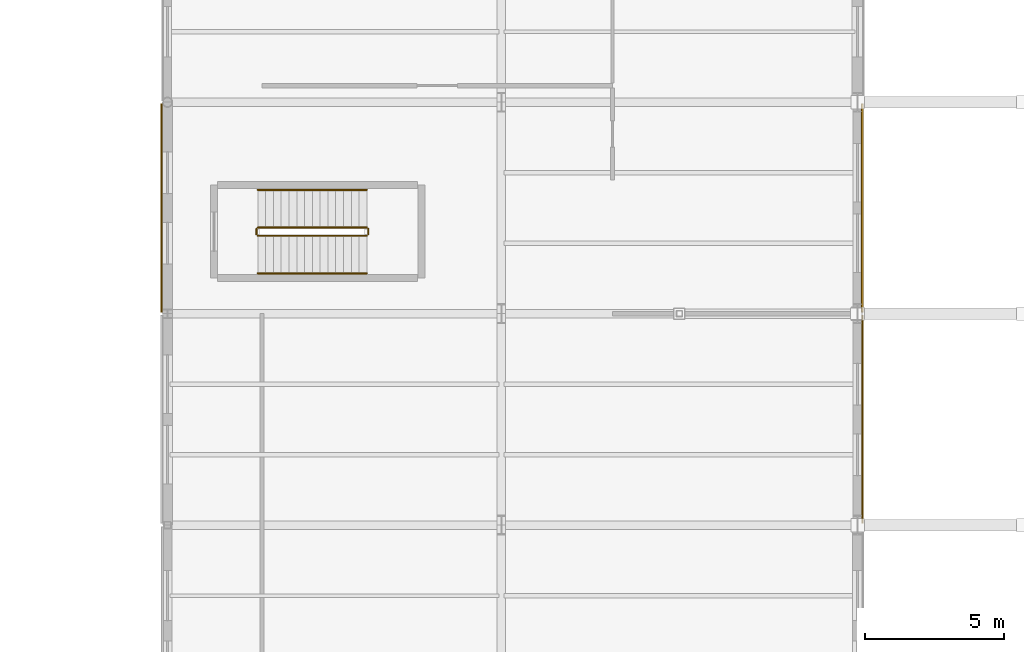
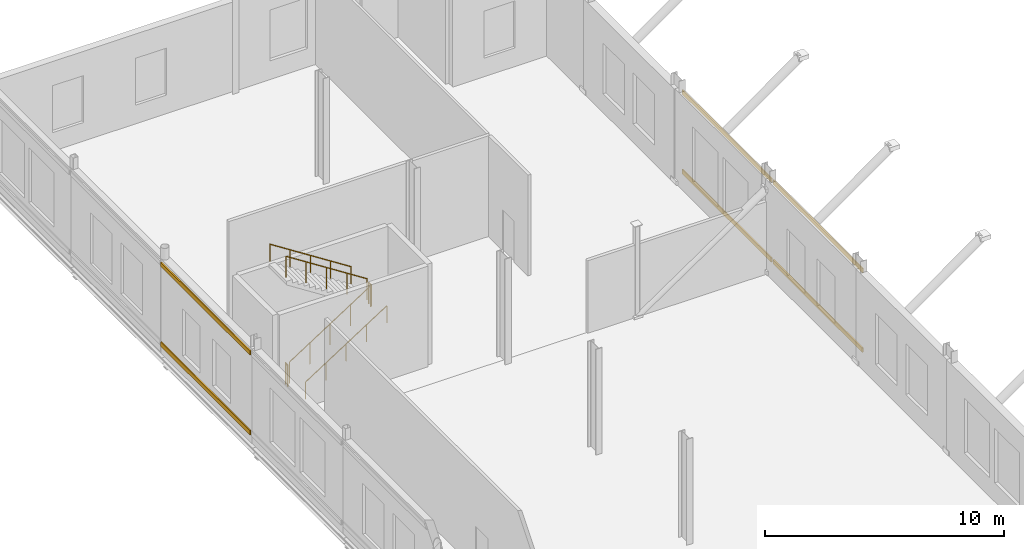
# One storey, part 145 of 147: 6 coverings, 6 railings.
"""IFC4 building model written with IfcOpenShell, lengths in metres."""

import ifcopenshell
import ifcopenshell.guid

model = None  # the IFC model being written
_history = None  # IfcOwnerHistory: only IFC2X3 demands one
_inside = {}  # id of a spatial element -> (the spatial element, [elements in it])
_under = {}  # id of a project, library or spatial element -> (it, [spatial elements below it])
_declared = {}  # id of a project -> (the project, [libraries it declares])
_typed = {}  # id of a type object -> (the type object, [elements of that type])
_made_of = {}  # id of a material, layer set ... -> (it, [elements and type objects made of it])


def new_model(schema):
    """Start an empty IFC model of exactly this schema.

    Asked for "IFC4X3", IfcOpenShell would pick the latest addendum, in which some entities
    have other attributes; the version numbers below select the first issue.
    IFC2X3 requires an IfcOwnerHistory on every rooted entity: one is made here for all.
    """
    global model, _history
    if schema == "IFC4X3":
        model = ifcopenshell.file(schema_version=(4, 3, 0, 0))
    else:
        model = ifcopenshell.file(schema=schema)
    _inside.clear()
    _under.clear()
    _declared.clear()
    _typed.clear()
    _made_of.clear()
    _history = None
    if model.schema == "IFC2X3":
        org = make("IfcOrganization", Name="unknown")
        user = make(
            "IfcPersonAndOrganization",
            ThePerson=make("IfcPerson", FamilyName="unknown"),
            TheOrganization=org,
        )
        app = make(
            "IfcApplication",
            ApplicationDeveloper=org,
            Version="unknown",
            ApplicationFullName="unknown",
            ApplicationIdentifier="unknown",
        )
        _history = make(
            "IfcOwnerHistory",
            OwningUser=user,
            OwningApplication=app,
            ChangeAction="ADDED",
            CreationDate=0,
        )
    return model


def make(cls, **values):
    """One entity of the class cls with the attributes given. An attribute that is None is left unset."""
    return model.create_entity(
        cls, **{name: value for name, value in values.items() if value is not None}
    )


def rooted(cls, **values):
    """An entity with a GlobalId (a new one), such as an element, a storey or a relation."""
    return make(cls, GlobalId=ifcopenshell.guid.new(), OwnerHistory=_history, **values)


def si_unit(unit_type, name, prefix=None):
    """IfcSIUnit, for example si_unit("LENGTHUNIT", "METRE", prefix="MILLI")."""
    return make("IfcSIUnit", UnitType=unit_type, Prefix=prefix, Name=name)


def assignment(units):
    """IfcUnitAssignment: the units of a project."""
    return None if units is None else make("IfcUnitAssignment", Units=units)


def point(xyz):
    """IfcCartesianPoint."""
    return None if xyz is None else make("IfcCartesianPoint", Coordinates=xyz)


def direction(xyz):
    """IfcDirection."""
    return None if xyz is None else make("IfcDirection", DirectionRatios=xyz)


def frame(location, z_axis=None, x_axis=None):
    """IfcAxis2Placement3D, a coordinate frame: its origin and axes. An axis left out is left unset."""
    return make(
        "IfcAxis2Placement3D",
        Location=point(location),
        Axis=direction(z_axis),
        RefDirection=direction(x_axis),
    )


def frame_2d(location, x_axis=None):
    """IfcAxis2Placement2D, a coordinate frame in the plane: its origin and x axis."""
    return make(
        "IfcAxis2Placement2D", Location=point(location), RefDirection=direction(x_axis)
    )


def origin():
    """The frame at (0, 0, 0) with its axes left unset."""
    return frame((0.0, 0.0, 0.0))


def origin_2d():
    """The frame at (0, 0) in the plane with its x axis left unset."""
    return frame_2d((0.0, 0.0))


def place(relative_to, where):
    """IfcLocalPlacement: puts the frame where relative to a parent placement (None: the world)."""
    return make(
        "IfcLocalPlacement", PlacementRelTo=relative_to, RelativePlacement=where
    )


def context(
    kind, dimensions, precision=None, world=None, true_north=None, identifier=None
):
    """IfcGeometricRepresentationContext, for example the 3D "Model" context."""
    return make(
        "IfcGeometricRepresentationContext",
        ContextIdentifier=identifier,
        ContextType=kind,
        CoordinateSpaceDimension=dimensions,
        Precision=precision,
        WorldCoordinateSystem=world,
        TrueNorth=true_north,
    )


def subcontext(parent, identifier, kind, view, scale=None):
    """IfcGeometricRepresentationSubContext, for example "Body" below "Model"."""
    return make(
        "IfcGeometricRepresentationSubContext",
        ContextIdentifier=identifier,
        ContextType=kind,
        ParentContext=parent,
        TargetScale=scale,
        TargetView=view,
    )


def project(units=None, contexts=None):
    """IfcProject with its units and contexts."""
    return rooted(
        "IfcProject",
        Name="project",
        RepresentationContexts=contexts,
        UnitsInContext=assignment(units),
    )


def spatial(cls, under=None, at=None, **own):
    """A site, building, storey or space (cls), placed at a placement, below another one or the project."""
    s = rooted(cls, ObjectPlacement=at, **own)
    if under is not None:
        _under.setdefault(under.id(), (under, []))[1].append(s)
    return s


def profile(cls, at=None, kind="AREA", **sizes):
    """A parametric profile (cls). Its sizes go by their IFC names, for example OverallWidth=200.0."""
    return make(cls, ProfileType=kind, Position=at, **sizes)


def rectangle(**sizes):
    """IfcRectangleProfileDef."""
    return profile("IfcRectangleProfileDef", **sizes)


def circle(**sizes):
    """IfcCircleProfileDef."""
    return profile("IfcCircleProfileDef", **sizes)


def extrude(swept, where, along, depth):
    """IfcExtrudedAreaSolid: the profile swept, set in the frame where, extruded along a direction by depth."""
    return make(
        "IfcExtrudedAreaSolid",
        SweptArea=swept,
        Position=where,
        ExtrudedDirection=direction(along),
        Depth=depth,
    )


def shape(context_of_items, identifier, shape_type, items):
    """IfcShapeRepresentation: the items that make up one representation, for example the "Body"."""
    return make(
        "IfcShapeRepresentation",
        ContextOfItems=context_of_items,
        RepresentationIdentifier=identifier,
        RepresentationType=shape_type,
        Items=items,
    )


def material(Name=None, Category=None):
    """IfcMaterial."""
    return make("IfcMaterial", Name=Name, Category=Category)


def layer(
    of_material, thickness, ventilated=None, Name=None, Category=None, Priority=None
):
    """IfcMaterialLayer: one layer of a wall or slab, of a material (None: an air gap)."""
    return make(
        "IfcMaterialLayer",
        Material=of_material,
        LayerThickness=thickness,
        IsVentilated=ventilated,
        Name=Name,
        Category=Category,
        Priority=Priority,
    )


def layer_set(layers, Name=None):
    """IfcMaterialLayerSet."""
    return make("IfcMaterialLayerSet", MaterialLayers=layers, LayerSetName=Name)


def made_of(thing, what):
    """Note that an element or type object is made of a material, layer set ...; save() writes the relation."""
    if what is not None:
        _made_of.setdefault(what.id(), (what, []))[1].append(thing)
    return thing


def type_object(cls, material=None, **own):
    """A type object (cls), such as IfcWallType, which elements share."""
    return made_of(rooted(cls, **own), material)


def element(
    cls,
    number,
    at=None,
    inside=None,
    cuts=None,
    type_object=None,
    material=None,
    context=None,
    identifier="Body",
    shape_type=None,
    held_by="IfcProductDefinitionShape",
    body=None,
    shapes=None,
    **own,
):
    """One element of the class cls, such as IfcWall. Its Tag is "e" and its number.

    at: its placement. inside: the storey or other place that contains it. cuts: it is an
    opening in that element (IfcRelVoidsElement). A single representation is given by context,
    identifier, shape_type and body (its items); several are given by shapes. held_by: the class
    of the entity that holds the representations. save() writes the other relations.
    """
    e = rooted(cls, Tag="e%d" % number, ObjectPlacement=at, **own)
    if body is not None:
        shapes = [shape(context, identifier, shape_type, body)]
    if shapes is not None:
        e.Representation = make(held_by, Representations=shapes)
    if inside is not None:
        _inside.setdefault(inside.id(), (inside, []))[1].append(e)
    if cuts is not None:
        rooted(
            "IfcRelVoidsElement", RelatingBuildingElement=cuts, RelatedOpeningElement=e
        )
    if type_object is not None:
        _typed.setdefault(type_object.id(), (type_object, []))[1].append(e)
    return made_of(e, material)


def aggregate(whole, parts):
    """IfcRelAggregates: a whole, such as a stair, and the parts it consists of."""
    return rooted("IfcRelAggregates", RelatingObject=whole, RelatedObjects=parts)


def save(model, path):
    """Write the relations noted so far, then the file.

    IfcRelAggregates (storeys below a building ...), IfcRelContainedInSpatialStructure (elements
    in a storey), IfcRelDefinesByType, IfcRelAssociatesMaterial and IfcRelDeclares: one each for
    every whole, place, type object, material and project.
    """
    for whole, parts in _under.values():
        aggregate(whole, parts)
    for where, things in _inside.values():
        rooted(
            "IfcRelContainedInSpatialStructure",
            RelatedElements=things,
            RelatingStructure=where,
        )
    for kind, things in _typed.values():
        rooted("IfcRelDefinesByType", RelatedObjects=things, RelatingType=kind)
    for what, things in _made_of.values():
        rooted("IfcRelAssociatesMaterial", RelatedObjects=things, RelatingMaterial=what)
    for by, libraries in _declared.values():
        rooted("IfcRelDeclares", RelatingContext=by, RelatedDefinitions=libraries)
    model.write(path)


model = new_model("IFC4")

# Units and contexts
model_context = context("Model", 3, precision=1e-05, world=origin(), true_north=direction((0.0, 1.0)))
body_context = subcontext(model_context, "Body", "Model", "MODEL_VIEW")
ifc_project = project(units=[si_unit("LENGTHUNIT", "METRE"), si_unit("AREAUNIT", "SQUARE_METRE"), si_unit("VOLUMEUNIT", "CUBIC_METRE"), si_unit("PLANEANGLEUNIT", "RADIAN"), si_unit("MASSUNIT", "GRAM", prefix="KILO")], contexts=[model_context])

# Site, building, storey
site_placement = place(None, origin())
site = spatial("IfcSite", under=ifc_project, at=site_placement, CompositionType="ELEMENT")
building_placement = place(site_placement, origin())
building = spatial("IfcBuilding", under=site, at=building_placement, Name="Vekula Escarpment Museum", CompositionType="ELEMENT")
storey_placement = place(building_placement, frame((0.0, 0.0, 7.800048828125)))
storey = spatial("IfcBuildingStorey", under=building, at=storey_placement, Name="L02", CompositionType="ELEMENT", Elevation=7.800048828125)

# Coverings
ifc_material_1 = material(Name="Polychrome limestone almasik string-course band", Category="masonry")
ifc_layer = layer(ifc_material_1, 0.06005859375)
ifc_layer_set = layer_set([ifc_layer], Name="Polychrome limestone almasik string-course band")
covering_type = type_object("IfcCoveringType", Name="COV-ALM-BAND", PredefinedType="CLADDING", material=ifc_layer_set)
for number, where, z_axis, x_axis, name in (
    (1, (191.986083984375, 109.39990234375, 0.41015625), (0.0, 0.0, 1.0), (0.0, 1.0, 0.0), "Almasik Stone String Course L02-0318"),
    (2, (191.986083984375, 109.39990234375, 4.48486328125), (0.0, 0.0, 1.0), (0.0, 1.0, 0.0), "Almasik Stone String Course L02-0319"),
    (3, (191.97607421875, 117.0, 0.41015625), (0.0, 0.0, 1.0), (0.0, 1.0, 0.0), "Almasik Stone String Course L02-0320"),
    (4, (191.97607421875, 117.0, 4.48486328125), (0.0, 0.0, 1.0), (0.0, 1.0, 0.0), "Almasik Stone String Course L02-0321"),
    (5, (166.783935546875, 117.0, 0.41015625), (0.0, 0.0, 1.0), (0.0, 1.0, 0.0), "Almasik Stone String Course L02-0338"),
    (6, (166.783935546875, 117.0, 4.48486328125), (0.0, 0.0, 1.0), (0.0, 1.0, 0.0), "Almasik Stone String Course L02-0339"),
):
    element("IfcCovering", number, at=place(storey_placement, frame(where, z_axis=z_axis, x_axis=x_axis)), inside=storey, type_object=covering_type, Name=name, PredefinedType="CLADDING", context=body_context, shape_type="SweptSolid", body=[
        extrude(rectangle(XDim=7.47998046875, YDim=0.06005859375, at=origin_2d()), origin(), (0.0, 0.0, 1.0), 0.219970703125),
    ])

# Railings
ifc_material_2 = material(Name="Painted Steel S355 stair guard", Category="steel")
railing_type_1 = type_object("IfcRailingType", Name="RL-STAIR-GUARD", PredefinedType="GUARDRAIL", material=ifc_material_2)
railing_1_placement = place(storey_placement, frame((170.25, 116.0, 0.179931640625)))
element("IfcRailing", 7, at=railing_1_placement, inside=storey, type_object=railing_type_1, Name="L02 ST-05 stair guard 1", PredefinedType="GUARDRAIL", context=body_context, shape_type="SweptSolid", body=[
    extrude(circle(Radius=0.02392578125, at=origin_2d()), frame((0.0, 0.0, 1.076171875), z_axis=(0.841171666519, 0.0, 0.540768182723), x_axis=(0.0, 1.0, 0.0)), (0.0, 0.0, 1.0), 4.66015625),
    extrude(circle(Radius=0.02099609375, at=origin_2d()), origin(), (0.0, 0.0, 1.0), 1.052001953125),
    extrude(circle(Radius=0.02099609375, at=origin_2d()), frame((0.97998046875, 0.0, 0.6298828125)), (0.0, 0.0, 1.0), 1.052001953125),
    extrude(circle(Radius=0.02099609375, at=origin_2d()), frame((1.9599609375, 0.0, 1.260009765625)), (0.0, 0.0, 1.0), 1.052001953125),
    extrude(circle(Radius=0.02099609375, at=origin_2d()), frame((2.93994140625, 0.0, 1.89013671875)), (0.0, 0.0, 1.0), 1.052001953125),
    extrude(circle(Radius=0.02099609375, at=origin_2d()), frame((3.919921875, 0.0, 2.52001953125)), (0.0, 0.0, 1.0), 1.052001953125),
])
railing_2_placement = place(storey_placement, frame((174.219970703125, 116.050048828125, 2.699951171875)))
element("IfcRailing", 8, at=railing_2_placement, inside=storey, type_object=railing_type_1, Name="L02 ST-05 stair guard 2", PredefinedType="GUARDRAIL", context=body_context, shape_type="SweptSolid", body=[
    extrude(circle(Radius=0.02392578125, at=origin_2d()), frame((0.0, 0.0, 1.076171875), z_axis=(0.0, 1.0, 0.0), x_axis=(-1.0, 0.0, 0.0)), (0.0, 0.0, 1.0), 0.199951171875),
    extrude(circle(Radius=0.02099609375, at=origin_2d()), origin(), (0.0, 0.0, 1.0), 1.052001953125),
    extrude(circle(Radius=0.02099609375, at=origin_2d()), frame((0.0, 0.199951171875, 0.0)), (0.0, 0.0, 1.0), 1.052001953125),
])
railing_3_placement = place(storey_placement, frame((174.169921875, 116.300048828125, 2.8798828125)))
element("IfcRailing", 9, at=railing_3_placement, inside=storey, type_object=railing_type_1, Name="L02 ST-05 stair guard 3", PredefinedType="GUARDRAIL", context=body_context, shape_type="SweptSolid", body=[
    extrude(circle(Radius=0.02392578125, at=origin_2d()), frame((0.0, 0.0, 1.076171875), z_axis=(-0.841171666519, 0.0, 0.540768182723), x_axis=(0.0, -1.0, 0.0)), (0.0, 0.0, 1.0), 4.66015625),
    extrude(circle(Radius=0.02099609375, at=origin_2d()), origin(), (0.0, 0.0, 1.0), 1.052001953125),
    extrude(circle(Radius=0.02099609375, at=origin_2d()), frame((-0.97998046875, 0.0, 0.6298828125)), (0.0, 0.0, 1.0), 1.052001953125),
    extrude(circle(Radius=0.02099609375, at=origin_2d()), frame((-1.9599609375, 0.0, 1.260009765625)), (0.0, 0.0, 1.0), 1.052001953125),
    extrude(circle(Radius=0.02099609375, at=origin_2d()), frame((-2.93994140625, 0.0, 1.89013671875)), (0.0, 0.0, 1.0), 1.052001953125),
    extrude(circle(Radius=0.02099609375, at=origin_2d()), frame((-3.919921875, 0.0, 2.52001953125)), (0.0, 0.0, 1.0), 1.052001953125),
])
railing_4_placement = place(storey_placement, frame((170.199951171875, 116.050048828125, 0.0)))
element("IfcRailing", 10, at=railing_4_placement, inside=storey, type_object=railing_type_1, Name="L02 ST-05 stair guard 4", PredefinedType="GUARDRAIL", context=body_context, shape_type="SweptSolid", body=[
    extrude(circle(Radius=0.02392578125, at=origin_2d()), frame((0.0, 0.0, 1.076171875), z_axis=(0.0, 1.0, 0.0), x_axis=(-1.0, 0.0, 0.0)), (0.0, 0.0, 1.0), 0.199951171875),
    extrude(circle(Radius=0.02099609375, at=origin_2d()), origin(), (0.0, 0.0, 1.0), 1.052001953125),
    extrude(circle(Radius=0.02099609375, at=origin_2d()), frame((0.0, 0.199951171875, 0.0)), (0.0, 0.0, 1.0), 1.052001953125),
])
ifc_material_3 = material(Name="Brushed stainless steel handrail", Category="steel")
railing_type_2 = type_object("IfcRailingType", Name="RL-STAIR-HAND", PredefinedType="HANDRAIL", material=ifc_material_3)
railing_5_placement = place(storey_placement, frame((170.25, 114.64990234375, 0.179931640625)))
element("IfcRailing", 11, at=railing_5_placement, inside=storey, type_object=railing_type_2, Name="L02 ST-05 stair handrail 1", PredefinedType="HANDRAIL", context=body_context, shape_type="SweptSolid", body=[
    extrude(circle(Radius=0.02392578125, at=origin_2d()), frame((0.0, 0.0, 0.8759765625), z_axis=(0.841171666519, 0.0, 0.540768182723), x_axis=(0.0, 1.0, 0.0)), (0.0, 0.0, 1.0), 4.66015625),
    extrude(circle(Radius=0.02099609375, at=origin_2d()), origin(), (0.0, 0.0, 1.0), 0.851806640625),
    extrude(circle(Radius=0.02099609375, at=origin_2d()), frame((0.97998046875, 0.0, 0.6298828125)), (0.0, 0.0, 1.0), 0.851806640625),
    extrude(circle(Radius=0.02099609375, at=origin_2d()), frame((1.9599609375, 0.0, 1.260009765625)), (0.0, 0.0, 1.0), 0.851806640625),
    extrude(circle(Radius=0.02099609375, at=origin_2d()), frame((2.93994140625, 0.0, 1.89013671875)), (0.0, 0.0, 1.0), 0.851806640625),
    extrude(circle(Radius=0.02099609375, at=origin_2d()), frame((3.919921875, 0.0, 2.52001953125)), (0.0, 0.0, 1.0), 0.851806640625),
])
railing_6_placement = place(storey_placement, frame((174.169921875, 117.64990234375, 2.8798828125)))
element("IfcRailing", 12, at=railing_6_placement, inside=storey, type_object=railing_type_2, Name="L02 ST-05 stair handrail 2", PredefinedType="HANDRAIL", context=body_context, shape_type="SweptSolid", body=[
    extrude(circle(Radius=0.02392578125, at=origin_2d()), frame((0.0, 0.0, 0.8759765625), z_axis=(-0.841171666519, 0.0, 0.540768182723), x_axis=(0.0, -1.0, 0.0)), (0.0, 0.0, 1.0), 4.66015625),
    extrude(circle(Radius=0.02099609375, at=origin_2d()), origin(), (0.0, 0.0, 1.0), 0.851806640625),
    extrude(circle(Radius=0.02099609375, at=origin_2d()), frame((-0.97998046875, 0.0, 0.6298828125)), (0.0, 0.0, 1.0), 0.851806640625),
    extrude(circle(Radius=0.02099609375, at=origin_2d()), frame((-1.9599609375, 0.0, 1.260009765625)), (0.0, 0.0, 1.0), 0.851806640625),
    extrude(circle(Radius=0.02099609375, at=origin_2d()), frame((-2.93994140625, 0.0, 1.89013671875)), (0.0, 0.0, 1.0), 0.851806640625),
    extrude(circle(Radius=0.02099609375, at=origin_2d()), frame((-3.919921875, 0.0, 2.52001953125)), (0.0, 0.0, 1.0), 0.851806640625),
])

save(model, "model.ifc")
